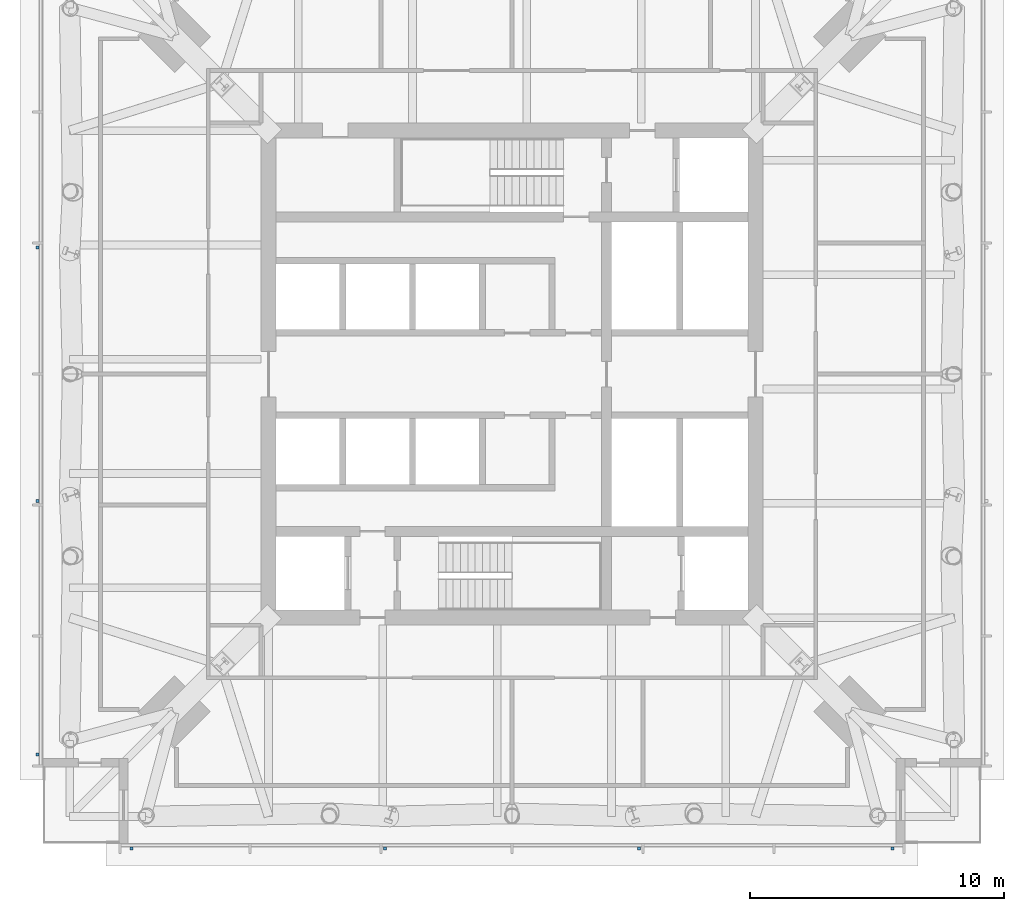
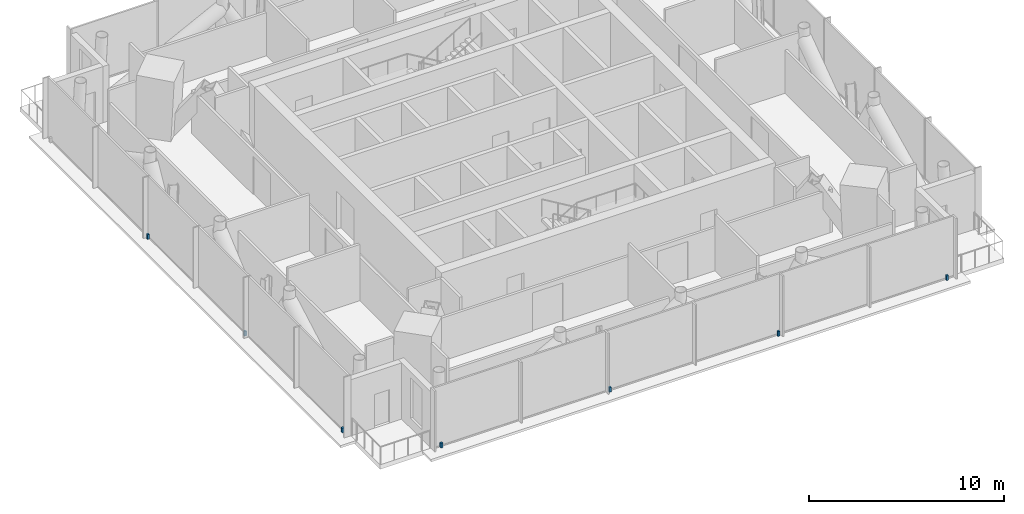
# One storey, part 7 of 10: 7 discrete accessories.
"""IFC4 building model written with IfcOpenShell, lengths in metres."""

from ifc_helpers import new_model, si_unit, direction, frame, origin, origin_2d, place, context, subcontext, project, spatial, rectangle, extrude, material, type_object, element, save


model = new_model("IFC4")

# Units and contexts
model_context = context("Model", 3, precision=1e-05, world=origin(), true_north=direction((0.0, 1.0)))
body_context = subcontext(model_context, "Body", "Model", "MODEL_VIEW")
ifc_project = project(units=[si_unit("LENGTHUNIT", "METRE"), si_unit("AREAUNIT", "SQUARE_METRE"), si_unit("VOLUMEUNIT", "CUBIC_METRE"), si_unit("PLANEANGLEUNIT", "RADIAN"), si_unit("MASSUNIT", "GRAM", prefix="KILO")], contexts=[model_context])

# Site, building, storey
site_placement = place(None, origin())
site = spatial("IfcSite", under=ifc_project, at=site_placement, CompositionType="ELEMENT")
building_placement = place(site_placement, origin())
building = spatial("IfcBuilding", under=site, at=building_placement, Name="Ostroluk Exchange", CompositionType="ELEMENT")
storey_placement = place(building_placement, frame((0.0, 0.0, 226.199951171875)))
storey = spatial("IfcBuildingStorey", under=building, at=storey_placement, Name="L58", CompositionType="ELEMENT", Elevation=226.199951171875)

# Discrete accessories
ifc_material = material(Name="Stainless steel", Category="steel")
discrete_accessory_type = type_object("IfcDiscreteAccessoryType", Name="Fall-arrest anchor PN-EN 795 type C", PredefinedType="USERDEFINED", material=ifc_material)
for number, where, z_axis, x_axis, name in (
    (1, (30.0, 27.2900390625, 0.0), (0.0, 0.0, 1.0), (1.0, 0.0, 0.0), "Fall-arrest anchor L58 south 1"),
    (2, (40.0, 27.2900390625, 0.0), (0.0, 0.0, 1.0), (1.0, 0.0, 0.0), "Fall-arrest anchor L58 south 2"),
    (3, (50.0, 27.2900390625, 0.0), (0.0, 0.0, 1.0), (1.0, 0.0, 0.0), "Fall-arrest anchor L58 south 3"),
    (4, (60.0, 27.2900390625, 0.0), (0.0, 0.0, 1.0), (1.0, 0.0, 0.0), "Fall-arrest anchor L58 south 4"),
    (5, (26.2900390625, 31.0, 0.0), (0.0, 0.0, 1.0), (1.0, 0.0, 0.0), "Fall-arrest anchor L58 west 1"),
    (6, (26.2900390625, 41.0, 0.0), (0.0, 0.0, 1.0), (1.0, 0.0, 0.0), "Fall-arrest anchor L58 west 2"),
    (7, (26.2900390625, 51.0, 0.0), (0.0, 0.0, 1.0), (1.0, 0.0, 0.0), "Fall-arrest anchor L58 west 3"),
):
    element("IfcDiscreteAccessory", number, at=place(storey_placement, frame(where, z_axis=z_axis, x_axis=x_axis)), inside=storey, type_object=discrete_accessory_type, Name=name, ObjectType="FALL ARREST ANCHOR", PredefinedType="USERDEFINED", context=body_context, shape_type="SweptSolid", body=[
        extrude(rectangle(XDim=0.1201171875, YDim=0.1201171875, at=origin_2d()), origin(), (0.0, 0.0, 1.0), 0.300048828125),
    ])

save(model, "model.ifc")
